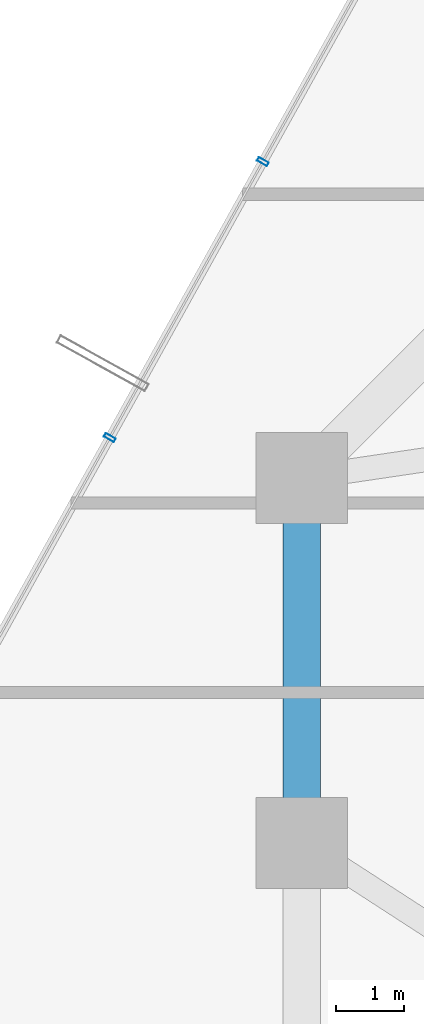
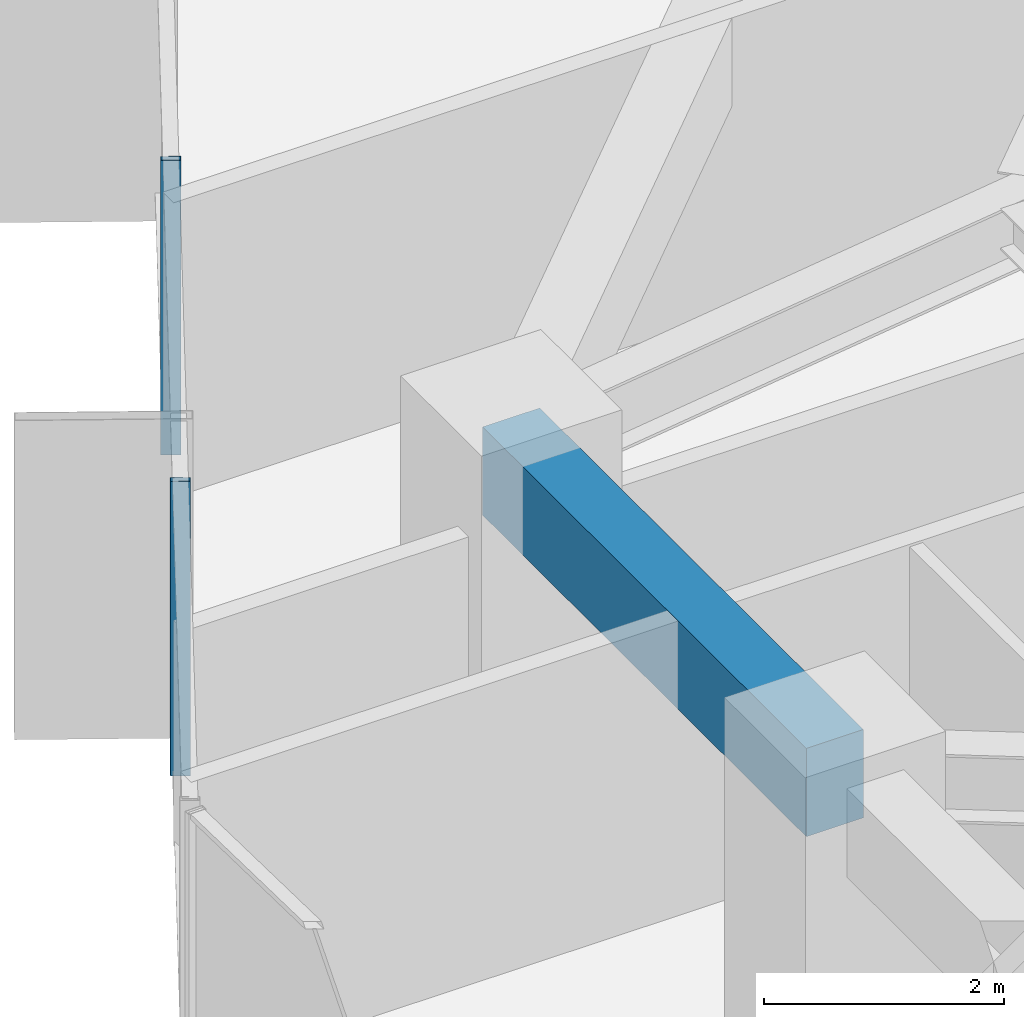
# One storey, part 12 of 39: 2 members, 1 beam, 1 element without a shape of its own.
"""IFC4 building model written with IfcOpenShell, lengths in metres."""

from ifc_helpers import new_model, si_unit, direction, frame, origin, origin_2d, place, context, subcontext, project, spatial, rectangle, hollow_rectangle, extrude, source, transform, mapped, material, layer, layer_set, material_profile, profile_set, type_object, element, aggregate, save


model = new_model("IFC4")

# Units and contexts
model_context = context("Model", 3, precision=1e-05, world=origin(), true_north=direction((0.0, 1.0)))
body_context = subcontext(model_context, "Body", "Model", "MODEL_VIEW")
ifc_project = project(units=[si_unit("LENGTHUNIT", "METRE"), si_unit("AREAUNIT", "SQUARE_METRE"), si_unit("VOLUMEUNIT", "CUBIC_METRE"), si_unit("PLANEANGLEUNIT", "RADIAN"), si_unit("MASSUNIT", "GRAM", prefix="KILO")], contexts=[model_context])

# Site, building, storey
site_placement = place(None, origin())
site = spatial("IfcSite", under=ifc_project, at=site_placement, CompositionType="ELEMENT")
building_placement = place(site_placement, origin())
building = spatial("IfcBuilding", under=site, at=building_placement, Name="Veraguas Prism Commons", CompositionType="ELEMENT")
storey_placement = place(building_placement, frame((0.0, 0.0, 27.300048828125)))
storey = spatial("IfcBuildingStorey", under=building, at=storey_placement, Name="L06", CompositionType="ELEMENT", Elevation=27.300048828125)

# Beam
ifc_material_1 = material(Name="Concrete C50/60", Category="concrete")
ifc_material_profile_1 = material_profile(ifc_material_1, rectangle(XDim=0.550048828125, YDim=0.89990234375, at=origin_2d()), Name="RC550X900")
ifc_profile_set_1 = profile_set([ifc_material_profile_1], Name="Concrete C50/60")
beam_type = type_object("IfcBeamType", Name="Perimeter Spandrel Lower RC 550x900", PredefinedType="SPANDREL", material=ifc_profile_set_1)
beam_placement = place(storey_placement, frame((6.39990234375, 29.39990234375, 2.550048828125), z_axis=(0.0, -1.0, 0.0), x_axis=(1.0, 0.0, 0.0)))
element("IfcBeam", 1, at=beam_placement, inside=storey, type_object=beam_type, Name="Perimeter Spandrel Beam L06-SP07", PredefinedType="SPANDREL", context=body_context, shape_type="SweptSolid", body=[
    extrude(rectangle(XDim=0.550048828125, YDim=0.89990234375, at=origin_2d()), origin(), (0.0, 0.0, 1.0), 5.39990234375),
])

# Curtain wall, members
ifc_material_2 = material(Name="Anodised aluminium EN AW-6063 T6", Category="aluminium")
ifc_layer = layer(ifc_material_2, 0.169921875, Name="Unitised Flush Curtain Wall Zone 1", Category="aluminium")
ifc_layer_set = layer_set([ifc_layer], Name="Anodised aluminium EN AW-6063 T6")
curtain_wall_type = type_object("IfcCurtainWallType", Name="Unitised Flush Curtain Wall Zone 1", PredefinedType="NOTDEFINED", material=ifc_layer_set)
curtain_wall_placement = place(storey_placement, origin())
curtain_wall = element("IfcCurtainWall", 2, at=curtain_wall_placement, inside=storey, type_object=curtain_wall_type, Name="Tower Facade Curtain Wall L06-F3", PredefinedType="NOTDEFINED")
ifc_material_profile_2 = material_profile(ifc_material_2, hollow_rectangle(XDim=0.06005859375, YDim=0.169921875, WallThickness=0.00390625, at=origin_2d()), Name="AL60X170X4")
ifc_profile_set_2 = profile_set([ifc_material_profile_2], Name="Anodised aluminium EN AW-6063 T6")
member_type = type_object("IfcMemberType", Name="Curtain Wall Mullion Lower AL 60x170x4", PredefinedType="MULLION", material=ifc_profile_set_2)
shared_shape = source(origin(), body_context, "Body", "SweptSolid", [
    extrude(hollow_rectangle(XDim=0.06005859375, YDim=0.169921875, WallThickness=0.00390625, at=origin_2d()), origin(), (0.0, 0.0, 1.0), 3.0),
])
member_1_placement = place(storey_placement, frame((5.824951171875, 34.0830078125, 0.0), z_axis=(0.0, 0.0, 1.0), x_axis=(-0.485116416779, -0.874449576689, 0.0)))
member_1 = element("IfcMember", 3, at=member_1_placement, type_object=member_type, Name="CW-Z1 Mullion 3", PredefinedType="MULLION", context=body_context, shape_type="MappedRepresentation", body=[
    mapped(shared_shape, transform((0.0, 0.0, 0.0), scale=1.0)),
])
member_2_placement = place(storey_placement, frame((3.558837890625, 29.998291015625, 0.0), z_axis=(0.0, 0.0, 1.0), x_axis=(-0.485116416779, -0.874449576689, 0.0)))
member_2 = element("IfcMember", 4, at=member_2_placement, type_object=member_type, Name="CW-Z1 Mullion 4", PredefinedType="MULLION", context=body_context, shape_type="MappedRepresentation", body=[
    mapped(shared_shape, transform((0.0, 0.0, 0.0), scale=1.0)),
])
aggregate(curtain_wall, [member_1, member_2])

save(model, "model.ifc")
